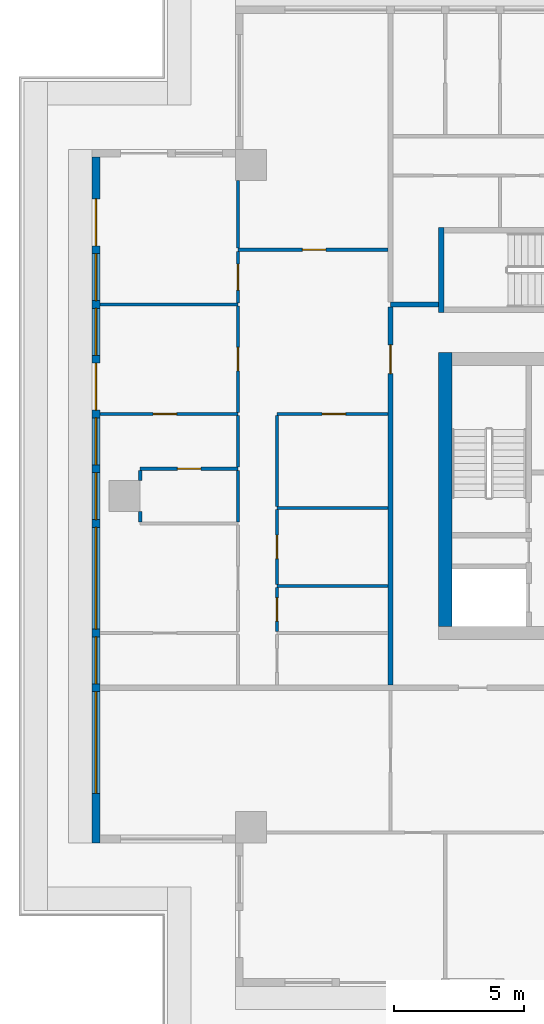
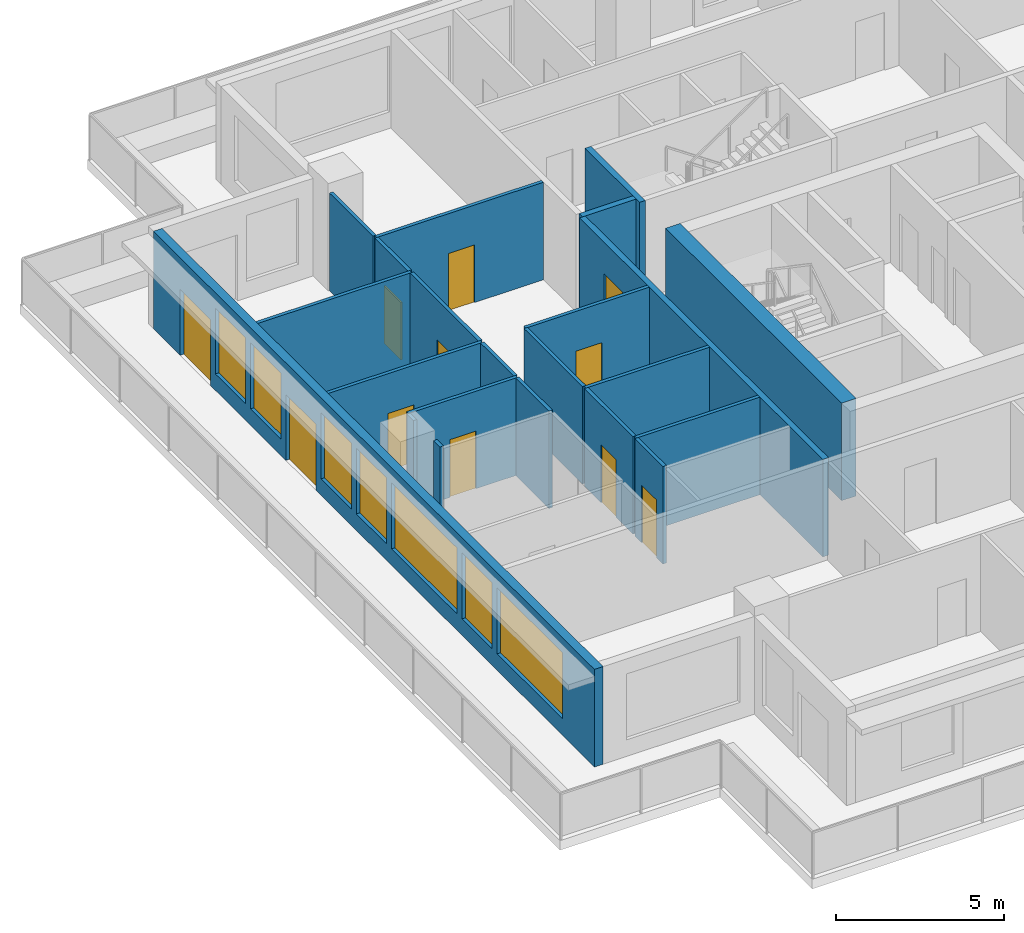
# One storey, part 3 of 10: 22 walls, 11 doors, 7 windows, 18 openings.
"""IFC4 building model written with IfcOpenShell, lengths in metres."""

from ifc_helpers import new_model, si_unit, direction, frame, frame_2d, origin, place, context, subcontext, project, spatial, rectangle, extrude, material, layer, layer_set, type_object, element, fill, save


model = new_model("IFC4")

# Units and contexts
model_context = context("Model", 3, precision=1e-05, world=origin(), true_north=direction((0.0, 1.0)))
body_context = subcontext(model_context, "Body", "Model", "MODEL_VIEW")
ifc_project = project(units=[si_unit("LENGTHUNIT", "METRE"), si_unit("AREAUNIT", "SQUARE_METRE"), si_unit("VOLUMEUNIT", "CUBIC_METRE"), si_unit("PLANEANGLEUNIT", "RADIAN"), si_unit("MASSUNIT", "GRAM", prefix="KILO")], contexts=[model_context])

# Site, building, storey
site_placement = place(None, origin())
site = spatial("IfcSite", under=ifc_project, at=site_placement, CompositionType="ELEMENT")
building_placement = place(site_placement, origin())
building = spatial("IfcBuilding", under=site, at=building_placement, Name="Khepri Terraces", CompositionType="ELEMENT")
storey_placement = place(building_placement, frame((0.0, 0.0, 300.60009765625)))
storey = spatial("IfcBuildingStorey", under=building, at=storey_placement, Name="L72", CompositionType="ELEMENT", Elevation=300.60009765625)

# Walls
ifc_material_1 = material(Name="Concrete C40/50", Category="concrete")
ifc_layer_1 = layer(ifc_material_1, 0.199951171875, Name="Concrete C40/50", Category="concrete")
ifc_layer_set_1 = layer_set([ifc_layer_1], Name="Concrete C40/50")
wall_type_1 = type_object("IfcWallType", Name="Core wall 200 C40/50", PredefinedType="SHEAR", material=ifc_layer_set_1)
wall_1_placement = place(storey_placement, frame((-5.39990234375, 7.050048828125, 0.0), z_axis=(0.0, 0.0, 1.0), x_axis=(0.0, 1.0, 0.0)))
element("IfcWall", 1, at=wall_1_placement, inside=storey, type_object=wall_type_1, Name="Core wall S3W L72", PredefinedType="SHEAR", context=body_context, shape_type="SweptSolid", body=[
    extrude(rectangle(XDim=3.25, YDim=0.199951171875, at=frame_2d((1.625, 0.0))), origin(), (0.0, 0.0, 1.0), 3.5498046875),
])
ifc_layer_2 = layer(ifc_material_1, 0.5, Name="Concrete C40/50", Category="concrete")
ifc_layer_set_2 = layer_set([ifc_layer_2], Name="Concrete C40/50")
wall_type_2 = type_object("IfcWallType", Name="Core wall 500 C40/50", PredefinedType="SHEAR", material=ifc_layer_set_2)
wall_2_placement = place(storey_placement, frame((-5.25, -5.0, 0.0), z_axis=(0.0, 0.0, 1.0), x_axis=(0.0, 1.0, 0.0)))
element("IfcWall", 2, at=wall_2_placement, inside=storey, type_object=wall_type_2, Name="Core wall BX02 L72", PredefinedType="SHEAR", context=body_context, shape_type="SweptSolid", body=[
    extrude(rectangle(XDim=10.5, YDim=0.5, at=frame_2d((5.25, 0.0))), origin(), (0.0, 0.0, 1.0), 3.5498046875),
])

# Wall, opening, door
ifc_material_2 = material(Name="Fire-rated gypsum plasterboard partition, mineral wool")
ifc_layer_3 = layer(ifc_material_2, 0.199951171875, Name="Fire-rated gypsum plasterboard partition, mineral wool")
ifc_layer_set_3 = layer_set([ifc_layer_3], Name="Fire-rated gypsum plasterboard partition, mineral wool")
wall_type_3 = type_object("IfcWallType", Name="WL-CORR-200", PredefinedType="PARTITIONING", material=ifc_layer_set_3)
wall_3_placement = place(storey_placement, frame((-7.35009765625, -7.25, 0.0), z_axis=(0.0, 0.0, 1.0), x_axis=(0.0, 1.0, 0.0)))
wall_3 = element("IfcWall", 3, at=wall_3_placement, inside=storey, type_object=wall_type_3, Name="Partition P-017 L72", PredefinedType="PARTITIONING", context=body_context, shape_type="SweptSolid", body=[
    extrude(rectangle(XDim=14.5, YDim=0.199951171875, at=frame_2d((7.25, 0.0))), origin(), (0.0, 0.0, 1.0), 3.5498046875),
])
opening_1_placement = place(wall_3_placement, frame((11.949951171875, 0.0, 0.0)))
opening_1 = element("IfcOpeningElement", 4, at=opening_1_placement, cuts=wall_3, Name="Opening D1", PredefinedType="OPENING", context=body_context, shape_type="SweptSolid", body=[
    extrude(rectangle(XDim=1.10009765625, YDim=2.39990234375, at=frame_2d((0.550048828125, 1.199951171875))), frame((0.0, 0.10986328125, 0.0), z_axis=(0.0, -1.0, 0.0), x_axis=(1.0, 0.0, 0.0)), (0.0, 0.0, 1.0), 0.219970703125),
])
ifc_material_3 = material(Name="Solid-core timber door leaf, flat entrance door", Category="wood")
door_type_1 = type_object("IfcDoorType", Name="DR-ENT-1100", OperationType="NOTDEFINED", PredefinedType="DOOR", material=ifc_material_3)
door_1_placement = place(opening_1_placement, origin())
door_1 = element("IfcDoor", 5, at=door_1_placement, inside=storey, type_object=door_type_1, Name="Flat D1 entrance door", OperationType="SINGLE_SWING_RIGHT", OverallHeight=2.39990234375, OverallWidth=1.10009765625, PredefinedType="DOOR", context=body_context, shape_type="SweptSolid", body=[
    extrude(rectangle(XDim=1.10009765625, YDim=2.39990234375, at=frame_2d((0.550048828125, 1.199951171875))), frame((0.0, 0.02490234375, 0.0), z_axis=(0.0, -1.0, 0.0), x_axis=(1.0, 0.0, 0.0)), (0.0, 0.0, 1.0), 0.050048828125),
])
fill(opening_1, door_1)

# Wall
wall_4_placement = place(storey_placement, frame((-7.35009765625, 7.35009765625, 0.0), z_axis=(0.0, 0.0, 1.0), x_axis=(1.0, 0.0, 0.0)))
element("IfcWall", 6, at=wall_4_placement, inside=storey, type_object=wall_type_3, Name="Partition P-053 L72", PredefinedType="PARTITIONING", context=body_context, shape_type="SweptSolid", body=[
    extrude(rectangle(XDim=1.85009765625, YDim=0.199951171875, at=frame_2d((0.925048828125, 0.0))), origin(), (0.0, 0.0, 1.0), 3.5498046875),
])

# Wall, openings, doors, windows
ifc_material_4 = material(Name="Precast concrete C50/60 warm stone", Category="masonry")
ifc_layer_4 = layer(ifc_material_4, 0.300048828125, Name="Precast concrete C50/60 warm stone", Category="masonry")
ifc_layer_set_4 = layer_set([ifc_layer_4], Name="Precast concrete C50/60 warm stone")
wall_type_4 = type_object("IfcWallType", Name="WL-EXT-PRECAST-300", PredefinedType="STANDARD", material=ifc_layer_set_4)
wall_5_placement = place(storey_placement, frame((-18.64990234375, 13.0, 0.0), z_axis=(0.0, 0.0, 1.0), x_axis=(0.0, -1.0, 0.0)))
wall_5 = element("IfcWall", 7, at=wall_5_placement, inside=storey, type_object=wall_type_4, Name="External wall L72 W", PredefinedType="STANDARD", context=body_context, shape_type="SweptSolid", body=[
    extrude(rectangle(XDim=26.300048828125, YDim=0.300048828125, at=frame_2d((13.14990234375, 0.0))), origin(), (0.0, 0.0, 1.0), 3.5498046875),
])
opening_2_placement = place(wall_5_placement, frame((1.60009765625, 0.0, 0.0)))
opening_2 = element("IfcOpeningElement", 8, at=opening_2_placement, cuts=wall_5, Name="Opening ED-L72-08", PredefinedType="OPENING", context=body_context, shape_type="SweptSolid", body=[
    extrude(rectangle(XDim=1.800048828125, YDim=2.39990234375, at=frame_2d((0.89990234375, 1.199951171875))), frame((0.0, 0.16015625, 0.0), z_axis=(0.0, -1.0, 0.0), x_axis=(1.0, 0.0, 0.0)), (0.0, 0.0, 1.0), 0.320068359375),
])
opening_3_placement = place(wall_5_placement, frame((3.699951171875, 0.0, 0.60009765625)))
opening_3 = element("IfcOpeningElement", 9, at=opening_3_placement, cuts=wall_5, Name="Opening WC1", PredefinedType="OPENING", context=body_context, shape_type="SweptSolid", body=[
    extrude(rectangle(XDim=1.800048828125, YDim=2.39990234375, at=frame_2d((0.89990234375, 1.199951171875))), frame((0.0, 0.16015625, 0.0), z_axis=(0.0, -1.0, 0.0), x_axis=(1.0, 0.0, 0.0)), (0.0, 0.0, 1.0), 0.320068359375),
])
opening_4_placement = place(wall_5_placement, frame((5.800048828125, 0.0, 0.60009765625)))
opening_4 = element("IfcOpeningElement", 10, at=opening_4_placement, cuts=wall_5, Name="Opening WC1", PredefinedType="OPENING", context=body_context, shape_type="SweptSolid", body=[
    extrude(rectangle(XDim=1.800048828125, YDim=2.39990234375, at=frame_2d((0.89990234375, 1.199951171875))), frame((0.0, 0.16015625, 0.0), z_axis=(0.0, -1.0, 0.0), x_axis=(1.0, 0.0, 0.0)), (0.0, 0.0, 1.0), 0.320068359375),
])
opening_5_placement = place(wall_5_placement, frame((7.89990234375, 0.0, 0.0)))
opening_5 = element("IfcOpeningElement", 11, at=opening_5_placement, cuts=wall_5, Name="Opening ED-L72-09", PredefinedType="OPENING", context=body_context, shape_type="SweptSolid", body=[
    extrude(rectangle(XDim=1.800048828125, YDim=2.39990234375, at=frame_2d((0.89990234375, 1.199951171875))), frame((0.0, 0.16015625, 0.0), z_axis=(0.0, -1.0, 0.0), x_axis=(1.0, 0.0, 0.0)), (0.0, 0.0, 1.0), 0.320068359375),
])
opening_6_placement = place(wall_5_placement, frame((10.0, 0.0, 0.60009765625)))
opening_6 = element("IfcOpeningElement", 12, at=opening_6_placement, cuts=wall_5, Name="Opening WC1", PredefinedType="OPENING", context=body_context, shape_type="SweptSolid", body=[
    extrude(rectangle(XDim=1.800048828125, YDim=2.39990234375, at=frame_2d((0.89990234375, 1.199951171875))), frame((0.0, 0.16015625, 0.0), z_axis=(0.0, -1.0, 0.0), x_axis=(1.0, 0.0, 0.0)), (0.0, 0.0, 1.0), 0.320068359375),
])
opening_7_placement = place(wall_5_placement, frame((12.10009765625, 0.0, 0.60009765625)))
opening_7 = element("IfcOpeningElement", 13, at=opening_7_placement, cuts=wall_5, Name="Opening WC1", PredefinedType="OPENING", context=body_context, shape_type="SweptSolid", body=[
    extrude(rectangle(XDim=1.800048828125, YDim=2.39990234375, at=frame_2d((0.89990234375, 1.199951171875))), frame((0.0, 0.16015625, 0.0), z_axis=(0.0, -1.0, 0.0), x_axis=(1.0, 0.0, 0.0)), (0.0, 0.0, 1.0), 0.320068359375),
])
opening_8_placement = place(wall_5_placement, frame((14.199951171875, 0.0, 0.60009765625)))
opening_8 = element("IfcOpeningElement", 14, at=opening_8_placement, cuts=wall_5, Name="Opening WC2", PredefinedType="OPENING", context=body_context, shape_type="SweptSolid", body=[
    extrude(rectangle(XDim=3.89990234375, YDim=2.39990234375, at=frame_2d((1.949951171875, 1.199951171875))), frame((0.0, 0.16015625, 0.0), z_axis=(0.0, -1.0, 0.0), x_axis=(1.0, 0.0, 0.0)), (0.0, 0.0, 1.0), 0.320068359375),
])
opening_9_placement = place(wall_5_placement, frame((18.39990234375, 0.0, 0.60009765625)))
opening_9 = element("IfcOpeningElement", 15, at=opening_9_placement, cuts=wall_5, Name="Opening WC1", PredefinedType="OPENING", context=body_context, shape_type="SweptSolid", body=[
    extrude(rectangle(XDim=1.800048828125, YDim=2.39990234375, at=frame_2d((0.89990234375, 1.199951171875))), frame((0.0, 0.16015625, 0.0), z_axis=(0.0, -1.0, 0.0), x_axis=(1.0, 0.0, 0.0)), (0.0, 0.0, 1.0), 0.320068359375),
])
opening_10_placement = place(wall_5_placement, frame((20.5, 0.0, 0.60009765625)))
opening_10 = element("IfcOpeningElement", 16, at=opening_10_placement, cuts=wall_5, Name="Opening WC2", PredefinedType="OPENING", context=body_context, shape_type="SweptSolid", body=[
    extrude(rectangle(XDim=3.89990234375, YDim=2.39990234375, at=frame_2d((1.949951171875, 1.199951171875))), frame((0.0, 0.16015625, 0.0), z_axis=(0.0, -1.0, 0.0), x_axis=(1.0, 0.0, 0.0)), (0.0, 0.0, 1.0), 0.320068359375),
])
ifc_material_5 = material(Name="Anodised aluminium bronze glazed door", Category="aluminium")
door_type_2 = type_object("IfcDoorType", Name="DR-BAL-SLIDE-1800x2400", OperationType="NOTDEFINED", PredefinedType="DOOR", material=ifc_material_5)
door_2_placement = place(opening_2_placement, origin())
door_2 = element("IfcDoor", 17, at=door_2_placement, inside=storey, type_object=door_type_2, Name="Balcony door L72 W", OperationType="SLIDING_TO_RIGHT", OverallHeight=2.39990234375, OverallWidth=1.800048828125, PredefinedType="DOOR", context=body_context, shape_type="SweptSolid", body=[
    extrude(rectangle(XDim=1.800048828125, YDim=2.39990234375, at=frame_2d((0.89990234375, 1.199951171875))), frame((0.0, 0.02490234375, 0.0), z_axis=(0.0, -1.0, 0.0), x_axis=(1.0, 0.0, 0.0)), (0.0, 0.0, 1.0), 0.050048828125),
])
fill(opening_2, door_2)
door_3_placement = place(opening_5_placement, origin())
door_3 = element("IfcDoor", 18, at=door_3_placement, inside=storey, type_object=door_type_2, Name="Balcony door L72 W", OperationType="SLIDING_TO_LEFT", OverallHeight=2.39990234375, OverallWidth=1.800048828125, PredefinedType="DOOR", context=body_context, shape_type="SweptSolid", body=[
    extrude(rectangle(XDim=1.800048828125, YDim=2.39990234375, at=frame_2d((0.89990234375, 1.199951171875))), frame((0.0, 0.02490234375, 0.0), z_axis=(0.0, -1.0, 0.0), x_axis=(1.0, 0.0, 0.0)), (0.0, 0.0, 1.0), 0.050048828125),
])
fill(opening_5, door_3)
ifc_material_6 = material(Name="Clear glass", Category="glass")
window_type_1 = type_object("IfcWindowType", Name="WIN-CRN-1800x2400", PartitioningType="SINGLE_PANEL", PredefinedType="WINDOW", material=ifc_material_6)
window_1_placement = place(opening_3_placement, origin())
window_1 = element("IfcWindow", 19, at=window_1_placement, inside=storey, type_object=window_type_1, Name="Window L72 W", OverallHeight=2.39990234375, OverallWidth=1.800048828125, PartitioningType="SINGLE_PANEL", PredefinedType="WINDOW", context=body_context, shape_type="SweptSolid", body=[
    extrude(rectangle(XDim=1.800048828125, YDim=2.39990234375, at=frame_2d((0.89990234375, 1.199951171875))), frame((0.0, 0.030029296875, 0.0), z_axis=(0.0, -1.0, 0.0), x_axis=(1.0, 0.0, 0.0)), (0.0, 0.0, 1.0), 0.06005859375),
])
fill(opening_3, window_1)
window_2_placement = place(opening_4_placement, origin())
window_2 = element("IfcWindow", 20, at=window_2_placement, inside=storey, type_object=window_type_1, Name="Window L72 W", OverallHeight=2.39990234375, OverallWidth=1.800048828125, PartitioningType="SINGLE_PANEL", PredefinedType="WINDOW", context=body_context, shape_type="SweptSolid", body=[
    extrude(rectangle(XDim=1.800048828125, YDim=2.39990234375, at=frame_2d((0.89990234375, 1.199951171875))), frame((0.0, 0.030029296875, 0.0), z_axis=(0.0, -1.0, 0.0), x_axis=(1.0, 0.0, 0.0)), (0.0, 0.0, 1.0), 0.06005859375),
])
fill(opening_4, window_2)
window_3_placement = place(opening_6_placement, origin())
window_3 = element("IfcWindow", 21, at=window_3_placement, inside=storey, type_object=window_type_1, Name="Window L72 W", OverallHeight=2.39990234375, OverallWidth=1.800048828125, PartitioningType="SINGLE_PANEL", PredefinedType="WINDOW", context=body_context, shape_type="SweptSolid", body=[
    extrude(rectangle(XDim=1.800048828125, YDim=2.39990234375, at=frame_2d((0.89990234375, 1.199951171875))), frame((0.0, 0.030029296875, 0.0), z_axis=(0.0, -1.0, 0.0), x_axis=(1.0, 0.0, 0.0)), (0.0, 0.0, 1.0), 0.06005859375),
])
fill(opening_6, window_3)
window_4_placement = place(opening_7_placement, origin())
window_4 = element("IfcWindow", 22, at=window_4_placement, inside=storey, type_object=window_type_1, Name="Window L72 W", OverallHeight=2.39990234375, OverallWidth=1.800048828125, PartitioningType="SINGLE_PANEL", PredefinedType="WINDOW", context=body_context, shape_type="SweptSolid", body=[
    extrude(rectangle(XDim=1.800048828125, YDim=2.39990234375, at=frame_2d((0.89990234375, 1.199951171875))), frame((0.0, 0.030029296875, 0.0), z_axis=(0.0, -1.0, 0.0), x_axis=(1.0, 0.0, 0.0)), (0.0, 0.0, 1.0), 0.06005859375),
])
fill(opening_7, window_4)
window_5_placement = place(opening_9_placement, origin())
window_5 = element("IfcWindow", 23, at=window_5_placement, inside=storey, type_object=window_type_1, Name="Window L72 W", OverallHeight=2.39990234375, OverallWidth=1.800048828125, PartitioningType="SINGLE_PANEL", PredefinedType="WINDOW", context=body_context, shape_type="SweptSolid", body=[
    extrude(rectangle(XDim=1.800048828125, YDim=2.39990234375, at=frame_2d((0.89990234375, 1.199951171875))), frame((0.0, 0.030029296875, 0.0), z_axis=(0.0, -1.0, 0.0), x_axis=(1.0, 0.0, 0.0)), (0.0, 0.0, 1.0), 0.06005859375),
])
fill(opening_9, window_5)
window_type_2 = type_object("IfcWindowType", Name="WIN-CRN-3900x2400", PartitioningType="SINGLE_PANEL", PredefinedType="WINDOW", material=ifc_material_6)
window_6_placement = place(opening_8_placement, origin())
window_6 = element("IfcWindow", 24, at=window_6_placement, inside=storey, type_object=window_type_2, Name="Window L72 W", OverallHeight=2.39990234375, OverallWidth=3.89990234375, PartitioningType="SINGLE_PANEL", PredefinedType="WINDOW", context=body_context, shape_type="SweptSolid", body=[
    extrude(rectangle(XDim=3.89990234375, YDim=2.39990234375, at=frame_2d((1.949951171875, 1.199951171875))), frame((0.0, 0.030029296875, 0.0), z_axis=(0.0, -1.0, 0.0), x_axis=(1.0, 0.0, 0.0)), (0.0, 0.0, 1.0), 0.06005859375),
])
fill(opening_8, window_6)
window_7_placement = place(opening_10_placement, origin())
window_7 = element("IfcWindow", 25, at=window_7_placement, inside=storey, type_object=window_type_2, Name="Window L72 W", OverallHeight=2.39990234375, OverallWidth=3.89990234375, PartitioningType="SINGLE_PANEL", PredefinedType="WINDOW", context=body_context, shape_type="SweptSolid", body=[
    extrude(rectangle(XDim=3.89990234375, YDim=2.39990234375, at=frame_2d((1.949951171875, 1.199951171875))), frame((0.0, 0.030029296875, 0.0), z_axis=(0.0, -1.0, 0.0), x_axis=(1.0, 0.0, 0.0)), (0.0, 0.0, 1.0), 0.06005859375),
])
fill(opening_10, window_7)

# Wall, opening, door
ifc_material_7 = material(Name="Gypsum plasterboard partition")
ifc_layer_5 = layer(ifc_material_7, 0.1201171875, Name="Gypsum plasterboard partition")
ifc_layer_set_5 = layer_set([ifc_layer_5], Name="Gypsum plasterboard partition")
wall_type_5 = type_object("IfcWallType", Name="WL-PART-120", PredefinedType="PARTITIONING", material=ifc_layer_set_5)
wall_6_placement = place(storey_placement, frame((-11.699951171875, -5.18994140625, 0.0), z_axis=(0.0, 0.0, 1.0), x_axis=(0.0, 1.0, 0.0)))
wall_6 = element("IfcWall", 26, at=wall_6_placement, inside=storey, type_object=wall_type_5, Name="Partition P-023 L72", PredefinedType="PARTITIONING", context=body_context, shape_type="SweptSolid", body=[
    extrude(rectangle(XDim=1.679931640625, YDim=0.1201171875, at=frame_2d((0.83984375, 0.0))), origin(), (0.0, 0.0, 1.0), 3.5498046875),
])
opening_11_placement = place(wall_6_placement, frame((0.389892578125, 0.0, 0.0)))
opening_11 = element("IfcOpeningElement", 27, at=opening_11_placement, cuts=wall_6, Name="Opening D4", PredefinedType="OPENING", context=body_context, shape_type="SweptSolid", body=[
    extrude(rectangle(XDim=0.89990234375, YDim=2.10009765625, at=frame_2d((0.449951171875, 1.050048828125))), frame((0.0, 0.070068359375, 0.0), z_axis=(0.0, -1.0, 0.0), x_axis=(1.0, 0.0, 0.0)), (0.0, 0.0, 1.0), 0.14013671875),
])
ifc_material_8 = material(Name="Timber door leaf, moisture resistant", Category="wood")
door_type_3 = type_object("IfcDoorType", Name="DR-WET-900", OperationType="NOTDEFINED", PredefinedType="DOOR", material=ifc_material_8)
door_4_placement = place(opening_11_placement, frame((0.89990234375, 0.0, 0.0), z_axis=(0.0, 0.0, 1.0), x_axis=(-1.0, 0.0, 0.0)))
door_4 = element("IfcDoor", 28, at=door_4_placement, inside=storey, type_object=door_type_3, Name="Door Powder Room", OperationType="SINGLE_SWING_LEFT", OverallHeight=2.10009765625, OverallWidth=0.89990234375, PredefinedType="DOOR", context=body_context, shape_type="SweptSolid", body=[
    extrude(rectangle(XDim=0.89990234375, YDim=2.10009765625, at=frame_2d((0.449951171875, 1.050048828125))), frame((0.0, 0.02490234375, 0.0), z_axis=(0.0, -1.0, 0.0), x_axis=(1.0, 0.0, 0.0)), (0.0, 0.0, 1.0), 0.050048828125),
])
fill(opening_11, door_4)

# Wall
wall_7_placement = place(storey_placement, frame((-11.699951171875, -3.449951171875, 0.0), z_axis=(0.0, 0.0, 1.0), x_axis=(1.0, 0.0, 0.0)))
element("IfcWall", 29, at=wall_7_placement, inside=storey, type_object=wall_type_5, Name="Partition P-025 L72", PredefinedType="PARTITIONING", context=body_context, shape_type="SweptSolid", body=[
    extrude(rectangle(XDim=4.25, YDim=0.1201171875, at=frame_2d((2.125, 0.0))), origin(), (0.0, 0.0, 1.0), 3.5498046875),
])

# Wall, opening, door
wall_8_placement = place(storey_placement, frame((-11.699951171875, -3.389892578125, 0.0), z_axis=(0.0, 0.0, 1.0), x_axis=(0.0, 1.0, 0.0)))
wall_8 = element("IfcWall", 30, at=wall_8_placement, inside=storey, type_object=wall_type_5, Name="Partition P-026 L72", PredefinedType="PARTITIONING", context=body_context, shape_type="SweptSolid", body=[
    extrude(rectangle(XDim=2.8798828125, YDim=0.1201171875, at=frame_2d((1.43994140625, 0.0))), origin(), (0.0, 0.0, 1.0), 3.5498046875),
])
opening_12_placement = place(wall_8_placement, frame((0.989990234375, 0.0, 0.0)))
opening_12 = element("IfcOpeningElement", 31, at=opening_12_placement, cuts=wall_8, Name="Opening D4", PredefinedType="OPENING", context=body_context, shape_type="SweptSolid", body=[
    extrude(rectangle(XDim=0.89990234375, YDim=2.10009765625, at=frame_2d((0.449951171875, 1.050048828125))), frame((0.0, 0.070068359375, 0.0), z_axis=(0.0, -1.0, 0.0), x_axis=(1.0, 0.0, 0.0)), (0.0, 0.0, 1.0), 0.14013671875),
])
door_5_placement = place(opening_12_placement, frame((0.89990234375, 0.0, 0.0), z_axis=(0.0, 0.0, 1.0), x_axis=(-1.0, 0.0, 0.0)))
door_5 = element("IfcDoor", 32, at=door_5_placement, inside=storey, type_object=door_type_3, Name="Door Guest Bathroom", OperationType="SINGLE_SWING_LEFT", OverallHeight=2.10009765625, OverallWidth=0.89990234375, PredefinedType="DOOR", context=body_context, shape_type="SweptSolid", body=[
    extrude(rectangle(XDim=0.89990234375, YDim=2.10009765625, at=frame_2d((0.449951171875, 1.050048828125))), frame((0.0, 0.02490234375, 0.0), z_axis=(0.0, -1.0, 0.0), x_axis=(1.0, 0.0, 0.0)), (0.0, 0.0, 1.0), 0.050048828125),
])
fill(opening_12, door_5)

# Walls
wall_9_placement = place(storey_placement, frame((-16.948974609375, -0.989990234375, 0.0), z_axis=(0.0, 0.0, 1.0), x_axis=(0.0, 1.0, 0.0)))
element("IfcWall", 33, at=wall_9_placement, inside=storey, type_object=wall_type_5, Name="Partition P-030 L72", PredefinedType="PARTITIONING", context=body_context, shape_type="SweptSolid", body=[
    extrude(rectangle(XDim=0.389892578125, YDim=0.1201171875, at=frame_2d((0.19482421875, 0.0))), origin(), (0.0, 0.0, 1.0), 3.5498046875),
])
wall_10_placement = place(storey_placement, frame((-13.199951171875, -0.989990234375, 0.0), z_axis=(0.0, 0.0, 1.0), x_axis=(0.0, 1.0, 0.0)))
element("IfcWall", 34, at=wall_10_placement, inside=storey, type_object=wall_type_5, Name="Partition P-031 L72", PredefinedType="PARTITIONING", context=body_context, shape_type="SweptSolid", body=[
    extrude(rectangle(XDim=1.97998046875, YDim=0.1201171875, at=frame_2d((0.989990234375, 0.0))), origin(), (0.0, 0.0, 1.0), 3.5498046875),
])
wall_11_placement = place(storey_placement, frame((-11.699951171875, -0.449951171875, 0.0), z_axis=(0.0, 0.0, 1.0), x_axis=(1.0, 0.0, 0.0)))
element("IfcWall", 35, at=wall_11_placement, inside=storey, type_object=wall_type_5, Name="Partition P-035 L72", PredefinedType="PARTITIONING", context=body_context, shape_type="SweptSolid", body=[
    extrude(rectangle(XDim=4.25, YDim=0.1201171875, at=frame_2d((2.125, 0.0))), origin(), (0.0, 0.0, 1.0), 3.5498046875),
])
wall_12_placement = place(storey_placement, frame((-11.699951171875, -0.389892578125, 0.0), z_axis=(0.0, 0.0, 1.0), x_axis=(0.0, 1.0, 0.0)))
element("IfcWall", 36, at=wall_12_placement, inside=storey, type_object=wall_type_5, Name="Partition P-036 L72", PredefinedType="PARTITIONING", context=body_context, shape_type="SweptSolid", body=[
    extrude(rectangle(XDim=3.47998046875, YDim=0.1201171875, at=frame_2d((1.739990234375, 0.0))), origin(), (0.0, 0.0, 1.0), 3.5498046875),
])
wall_13_placement = place(storey_placement, frame((-16.948974609375, 0.60009765625, 0.0), z_axis=(0.0, 0.0, 1.0), x_axis=(0.0, 1.0, 0.0)))
element("IfcWall", 37, at=wall_13_placement, inside=storey, type_object=wall_type_5, Name="Partition P-037 L72", PredefinedType="PARTITIONING", context=body_context, shape_type="SweptSolid", body=[
    extrude(rectangle(XDim=0.389892578125, YDim=0.1201171875, at=frame_2d((0.19482421875, 0.0))), origin(), (0.0, 0.0, 1.0), 3.5498046875),
])

# Wall, opening, door
wall_14_placement = place(storey_placement, frame((-16.948974609375, 1.050048828125, 0.0), z_axis=(0.0, 0.0, 1.0), x_axis=(1.0, 0.0, 0.0)))
wall_14 = element("IfcWall", 38, at=wall_14_placement, inside=storey, type_object=wall_type_5, Name="Partition P-039 L72", PredefinedType="PARTITIONING", context=body_context, shape_type="SweptSolid", body=[
    extrude(rectangle(XDim=3.7490234375, YDim=0.1201171875, at=frame_2d((1.87451171875, 0.0))), origin(), (0.0, 0.0, 1.0), 3.5498046875),
])
opening_13_placement = place(wall_14_placement, frame((1.424560546875, 0.0, 0.0)))
opening_13 = element("IfcOpeningElement", 39, at=opening_13_placement, cuts=wall_14, Name="Opening D4", PredefinedType="OPENING", context=body_context, shape_type="SweptSolid", body=[
    extrude(rectangle(XDim=0.89990234375, YDim=2.10009765625, at=frame_2d((0.449951171875, 1.050048828125))), frame((0.0, 0.070068359375, 0.0), z_axis=(0.0, -1.0, 0.0), x_axis=(1.0, 0.0, 0.0)), (0.0, 0.0, 1.0), 0.14013671875),
])
door_6_placement = place(opening_13_placement, frame((0.89990234375, 0.0, 0.0), z_axis=(0.0, 0.0, 1.0), x_axis=(-1.0, 0.0, 0.0)))
door_6 = element("IfcDoor", 40, at=door_6_placement, inside=storey, type_object=door_type_3, Name="Door Bathroom", OperationType="SINGLE_SWING_LEFT", OverallHeight=2.10009765625, OverallWidth=0.89990234375, PredefinedType="DOOR", context=body_context, shape_type="SweptSolid", body=[
    extrude(rectangle(XDim=0.89990234375, YDim=2.10009765625, at=frame_2d((0.449951171875, 1.050048828125))), frame((0.0, 0.02490234375, 0.0), z_axis=(0.0, -1.0, 0.0), x_axis=(1.0, 0.0, 0.0)), (0.0, 0.0, 1.0), 0.050048828125),
])
fill(opening_13, door_6)

# Wall
wall_15_placement = place(storey_placement, frame((-13.199951171875, 1.110107421875, 0.0), z_axis=(0.0, 0.0, 1.0), x_axis=(0.0, 1.0, 0.0)))
element("IfcWall", 41, at=wall_15_placement, inside=storey, type_object=wall_type_5, Name="Partition P-040 L72", PredefinedType="PARTITIONING", context=body_context, shape_type="SweptSolid", body=[
    extrude(rectangle(XDim=1.97998046875, YDim=0.1201171875, at=frame_2d((0.989990234375, 0.0))), origin(), (0.0, 0.0, 1.0), 3.5498046875),
])

# Wall, opening, door
wall_16_placement = place(storey_placement, frame((-18.5, 3.14990234375, 0.0), z_axis=(0.0, 0.0, 1.0), x_axis=(1.0, 0.0, 0.0)))
wall_16 = element("IfcWall", 42, at=wall_16_placement, inside=storey, type_object=wall_type_5, Name="Partition P-041 L72", PredefinedType="PARTITIONING", context=body_context, shape_type="SweptSolid", body=[
    extrude(rectangle(XDim=5.300048828125, YDim=0.1201171875, at=frame_2d((2.64990234375, 0.0))), origin(), (0.0, 0.0, 1.0), 3.5498046875),
])
opening_14_placement = place(wall_16_placement, frame((2.050048828125, 0.0, 0.0)))
opening_14 = element("IfcOpeningElement", 43, at=opening_14_placement, cuts=wall_16, Name="Opening D3", PredefinedType="OPENING", context=body_context, shape_type="SweptSolid", body=[
    extrude(rectangle(XDim=0.89990234375, YDim=2.10009765625, at=frame_2d((0.449951171875, 1.050048828125))), frame((0.0, 0.070068359375, 0.0), z_axis=(0.0, -1.0, 0.0), x_axis=(1.0, 0.0, 0.0)), (0.0, 0.0, 1.0), 0.14013671875),
])
ifc_material_9 = material(Name="Timber door leaf", Category="wood")
door_type_4 = type_object("IfcDoorType", Name="DR-INT-900", OperationType="NOTDEFINED", PredefinedType="DOOR", material=ifc_material_9)
door_7_placement = place(opening_14_placement, frame((0.89990234375, 0.0, 0.0), z_axis=(0.0, 0.0, 1.0), x_axis=(-1.0, 0.0, 0.0)))
door_7 = element("IfcDoor", 44, at=door_7_placement, inside=storey, type_object=door_type_4, Name="Door Dressing Room", OperationType="SINGLE_SWING_RIGHT", OverallHeight=2.10009765625, OverallWidth=0.89990234375, PredefinedType="DOOR", context=body_context, shape_type="SweptSolid", body=[
    extrude(rectangle(XDim=0.89990234375, YDim=2.10009765625, at=frame_2d((0.449951171875, 1.050048828125))), frame((0.0, 0.02490234375, 0.0), z_axis=(0.0, -1.0, 0.0), x_axis=(1.0, 0.0, 0.0)), (0.0, 0.0, 1.0), 0.050048828125),
])
fill(opening_14, door_7)

wall_17_placement = place(storey_placement, frame((-11.699951171875, 3.14990234375, 0.0), z_axis=(0.0, 0.0, 1.0), x_axis=(1.0, 0.0, 0.0)))
wall_17 = element("IfcWall", 45, at=wall_17_placement, inside=storey, type_object=wall_type_5, Name="Partition P-042 L72", PredefinedType="PARTITIONING", context=body_context, shape_type="SweptSolid", body=[
    extrude(rectangle(XDim=4.25, YDim=0.1201171875, at=frame_2d((2.125, 0.0))), origin(), (0.0, 0.0, 1.0), 3.5498046875),
])
opening_15_placement = place(wall_17_placement, frame((1.72509765625, 0.0, 0.0)))
opening_15 = element("IfcOpeningElement", 46, at=opening_15_placement, cuts=wall_17, Name="Opening D3", PredefinedType="OPENING", context=body_context, shape_type="SweptSolid", body=[
    extrude(rectangle(XDim=0.89990234375, YDim=2.10009765625, at=frame_2d((0.449951171875, 1.050048828125))), frame((0.0, 0.070068359375, 0.0), z_axis=(0.0, -1.0, 0.0), x_axis=(1.0, 0.0, 0.0)), (0.0, 0.0, 1.0), 0.14013671875),
])
door_8_placement = place(opening_15_placement, frame((0.89990234375, 0.0, 0.0), z_axis=(0.0, 0.0, 1.0), x_axis=(-1.0, 0.0, 0.0)))
door_8 = element("IfcDoor", 47, at=door_8_placement, inside=storey, type_object=door_type_4, Name="Door Kitchen", OperationType="SINGLE_SWING_LEFT", OverallHeight=2.10009765625, OverallWidth=0.89990234375, PredefinedType="DOOR", context=body_context, shape_type="SweptSolid", body=[
    extrude(rectangle(XDim=0.89990234375, YDim=2.10009765625, at=frame_2d((0.449951171875, 1.050048828125))), frame((0.0, 0.02490234375, 0.0), z_axis=(0.0, -1.0, 0.0), x_axis=(1.0, 0.0, 0.0)), (0.0, 0.0, 1.0), 0.050048828125),
])
fill(opening_15, door_8)

wall_18_placement = place(storey_placement, frame((-13.199951171875, 3.2099609375, 0.0), z_axis=(0.0, 0.0, 1.0), x_axis=(0.0, 1.0, 0.0)))
wall_18 = element("IfcWall", 48, at=wall_18_placement, inside=storey, type_object=wall_type_5, Name="Partition P-045 L72", PredefinedType="PARTITIONING", context=body_context, shape_type="SweptSolid", body=[
    extrude(rectangle(XDim=4.080078125, YDim=0.1201171875, at=frame_2d((2.0400390625, 0.0))), origin(), (0.0, 0.0, 1.0), 3.5498046875),
])
opening_16_placement = place(wall_18_placement, frame((1.590087890625, 0.0, 0.0)))
opening_16 = element("IfcOpeningElement", 49, at=opening_16_placement, cuts=wall_18, Name="Opening D3", PredefinedType="OPENING", context=body_context, shape_type="SweptSolid", body=[
    extrude(rectangle(XDim=0.89990234375, YDim=2.10009765625, at=frame_2d((0.449951171875, 1.050048828125))), frame((0.0, 0.070068359375, 0.0), z_axis=(0.0, -1.0, 0.0), x_axis=(1.0, 0.0, 0.0)), (0.0, 0.0, 1.0), 0.14013671875),
])
door_9_placement = place(opening_16_placement, origin())
door_9 = element("IfcDoor", 50, at=door_9_placement, inside=storey, type_object=door_type_4, Name="Door Master Bedroom", OperationType="SINGLE_SWING_RIGHT", OverallHeight=2.10009765625, OverallWidth=0.89990234375, PredefinedType="DOOR", context=body_context, shape_type="SweptSolid", body=[
    extrude(rectangle(XDim=0.89990234375, YDim=2.10009765625, at=frame_2d((0.449951171875, 1.050048828125))), frame((0.0, 0.02490234375, 0.0), z_axis=(0.0, -1.0, 0.0), x_axis=(1.0, 0.0, 0.0)), (0.0, 0.0, 1.0), 0.050048828125),
])
fill(opening_16, door_9)

# Wall
wall_19_placement = place(storey_placement, frame((-18.5, 7.35009765625, 0.0), z_axis=(0.0, 0.0, 1.0), x_axis=(1.0, 0.0, 0.0)))
element("IfcWall", 51, at=wall_19_placement, inside=storey, type_object=wall_type_5, Name="Partition P-052 L72", PredefinedType="PARTITIONING", context=body_context, shape_type="SweptSolid", body=[
    extrude(rectangle(XDim=5.300048828125, YDim=0.1201171875, at=frame_2d((2.64990234375, 0.0))), origin(), (0.0, 0.0, 1.0), 3.5498046875),
])

# Wall, opening, door
wall_20_placement = place(storey_placement, frame((-13.199951171875, 7.409912109375, 0.0), z_axis=(0.0, 0.0, 1.0), x_axis=(0.0, 1.0, 0.0)))
wall_20 = element("IfcWall", 52, at=wall_20_placement, inside=storey, type_object=wall_type_5, Name="Partition P-055 L72", PredefinedType="PARTITIONING", context=body_context, shape_type="SweptSolid", body=[
    extrude(rectangle(XDim=1.97998046875, YDim=0.1201171875, at=frame_2d((0.989990234375, 0.0))), origin(), (0.0, 0.0, 1.0), 3.5498046875),
])
opening_17_placement = place(wall_20_placement, frame((0.489990234375, 0.0, 0.0)))
opening_17 = element("IfcOpeningElement", 53, at=opening_17_placement, cuts=wall_20, Name="Opening D2", PredefinedType="OPENING", context=body_context, shape_type="SweptSolid", body=[
    extrude(rectangle(XDim=1.0, YDim=2.10009765625, at=frame_2d((0.5, 1.050048828125))), frame((0.0, 0.070068359375, 0.0), z_axis=(0.0, -1.0, 0.0), x_axis=(1.0, 0.0, 0.0)), (0.0, 0.0, 1.0), 0.14013671875),
])
ifc_material_10 = material(Name="Timber door leaf, living room door", Category="wood")
door_type_5 = type_object("IfcDoorType", Name="DR-INT-1000", OperationType="NOTDEFINED", PredefinedType="DOOR", material=ifc_material_10)
door_10_placement = place(opening_17_placement, origin())
door_10 = element("IfcDoor", 54, at=door_10_placement, inside=storey, type_object=door_type_5, Name="Door Living Room", OperationType="SINGLE_SWING_LEFT", OverallHeight=2.10009765625, OverallWidth=1.0, PredefinedType="DOOR", context=body_context, shape_type="SweptSolid", body=[
    extrude(rectangle(XDim=1.0, YDim=2.10009765625, at=frame_2d((0.5, 1.050048828125))), frame((0.0, 0.02490234375, 0.0), z_axis=(0.0, -1.0, 0.0), x_axis=(1.0, 0.0, 0.0)), (0.0, 0.0, 1.0), 0.050048828125),
])
fill(opening_17, door_10)

wall_21_placement = place(storey_placement, frame((-13.199951171875, 9.449951171875, 0.0), z_axis=(0.0, 0.0, 1.0), x_axis=(1.0, 0.0, 0.0)))
wall_21 = element("IfcWall", 55, at=wall_21_placement, inside=storey, type_object=wall_type_5, Name="Partition P-058 L72", PredefinedType="PARTITIONING", context=body_context, shape_type="SweptSolid", body=[
    extrude(rectangle(XDim=5.75, YDim=0.1201171875, at=frame_2d((2.875, 0.0))), origin(), (0.0, 0.0, 1.0), 3.5498046875),
])
opening_18_placement = place(wall_21_placement, frame((2.47509765625, 0.0, 0.0)))
opening_18 = element("IfcOpeningElement", 56, at=opening_18_placement, cuts=wall_21, Name="Opening D3", PredefinedType="OPENING", context=body_context, shape_type="SweptSolid", body=[
    extrude(rectangle(XDim=0.89990234375, YDim=2.10009765625, at=frame_2d((0.449951171875, 1.050048828125))), frame((0.0, 0.070068359375, 0.0), z_axis=(0.0, -1.0, 0.0), x_axis=(1.0, 0.0, 0.0)), (0.0, 0.0, 1.0), 0.14013671875),
])
door_11_placement = place(opening_18_placement, origin())
door_11 = element("IfcDoor", 57, at=door_11_placement, inside=storey, type_object=door_type_4, Name="Door Library", OperationType="SINGLE_SWING_RIGHT", OverallHeight=2.10009765625, OverallWidth=0.89990234375, PredefinedType="DOOR", context=body_context, shape_type="SweptSolid", body=[
    extrude(rectangle(XDim=0.89990234375, YDim=2.10009765625, at=frame_2d((0.449951171875, 1.050048828125))), frame((0.0, 0.02490234375, 0.0), z_axis=(0.0, -1.0, 0.0), x_axis=(1.0, 0.0, 0.0)), (0.0, 0.0, 1.0), 0.050048828125),
])
fill(opening_18, door_11)

# Wall
wall_22_placement = place(storey_placement, frame((-13.199951171875, 9.510009765625, 0.0), z_axis=(0.0, 0.0, 1.0), x_axis=(0.0, 1.0, 0.0)))
element("IfcWall", 58, at=wall_22_placement, inside=storey, type_object=wall_type_5, Name="Partition P-059 L72", PredefinedType="PARTITIONING", context=body_context, shape_type="SweptSolid", body=[
    extrude(rectangle(XDim=2.590087890625, YDim=0.1201171875, at=frame_2d((1.294921875, 0.0))), origin(), (0.0, 0.0, 1.0), 3.5498046875),
])

save(model, "model.ifc")
